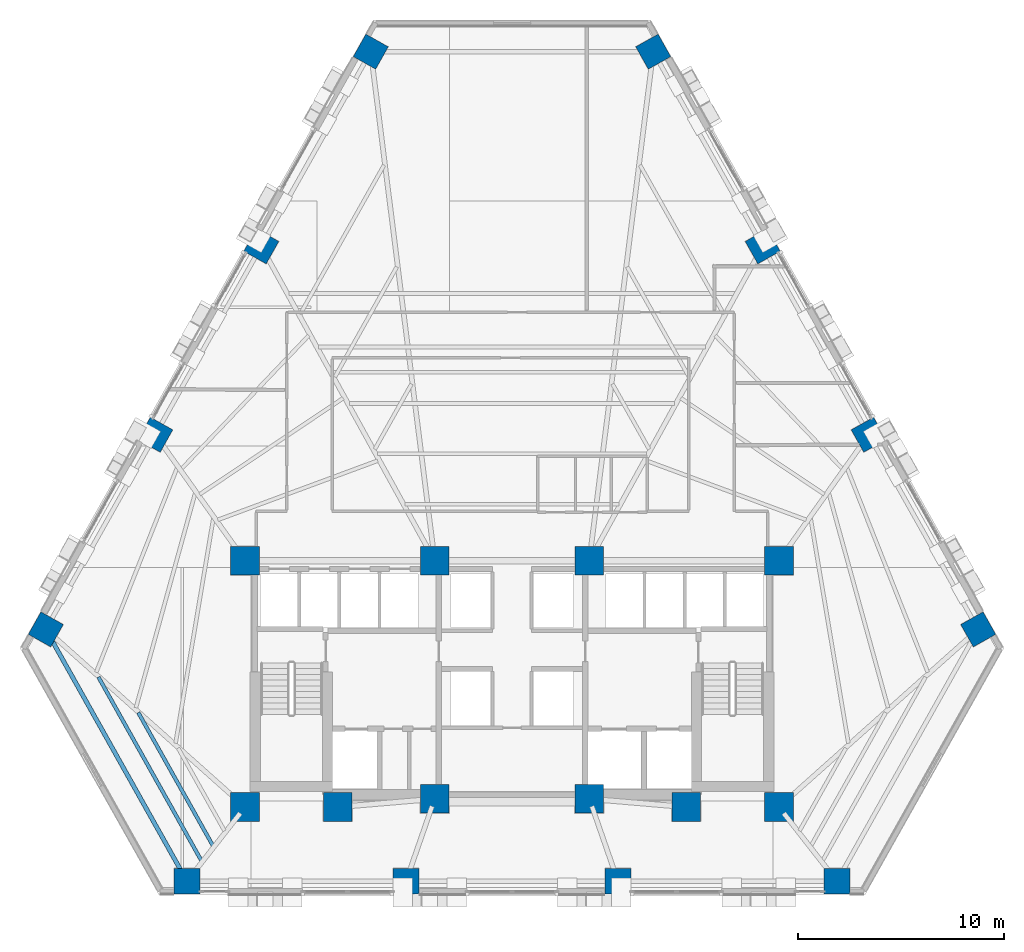
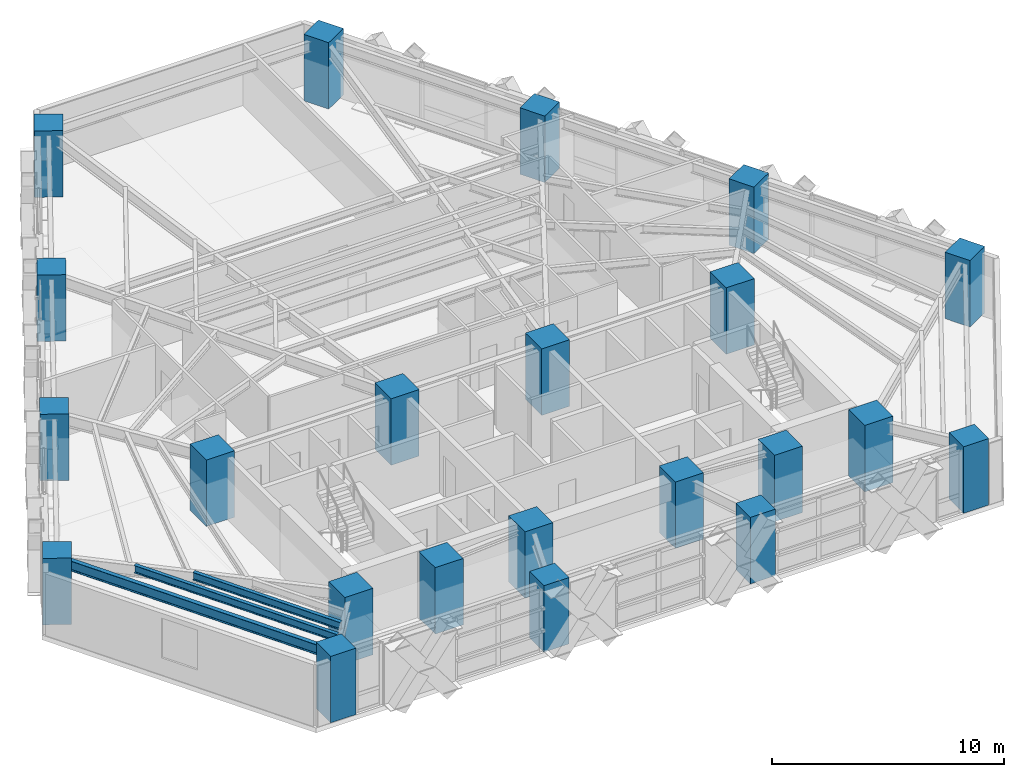
# One storey, part 1 of 13: 22 columns, 3 beams.
"""IFC4 building model written with IfcOpenShell, lengths in metres."""

from ifc_helpers import new_model, si_unit, direction, frame, origin, origin_2d, place, context, subcontext, project, spatial, rectangle, i_section, extrude, material, material_profile, profile_set, type_object, element, save


model = new_model("IFC4")

# Units and contexts
model_context = context("Model", 3, precision=1e-05, world=origin(), true_north=direction((0.0, 1.0)))
body_context = subcontext(model_context, "Body", "Model", "MODEL_VIEW")
ifc_project = project(units=[si_unit("LENGTHUNIT", "METRE"), si_unit("AREAUNIT", "SQUARE_METRE"), si_unit("VOLUMEUNIT", "CUBIC_METRE"), si_unit("PLANEANGLEUNIT", "RADIAN"), si_unit("MASSUNIT", "GRAM", prefix="KILO")], contexts=[model_context])

# Site, building, storey
site_placement = place(None, origin())
site = spatial("IfcSite", under=ifc_project, at=site_placement, CompositionType="ELEMENT")
building_placement = place(site_placement, origin())
building = spatial("IfcBuilding", under=site, at=building_placement, Name="Quenlor Broadcast Tower", CompositionType="ELEMENT")
storey_placement = place(building_placement, frame((0.0, 0.0, 41.60009765625)))
storey = spatial("IfcBuildingStorey", under=building, at=storey_placement, Name="L10", CompositionType="ELEMENT", Elevation=41.60009765625)

# Columns
ifc_material_1 = material(Name="Concrete C65/80", Category="concrete")
ifc_material_profile_1 = material_profile(ifc_material_1, rectangle(XDim=1.39990234375, YDim=1.39990234375, at=origin_2d()))
ifc_profile_set_1 = profile_set([ifc_material_profile_1], Name="Concrete C65/80 RC1400x1400")
column_type_1 = type_object("IfcColumnType", Name="Core Corner Column Lower Concrete C65/80 1400", PredefinedType="COLUMN", material=ifc_profile_set_1)
for number, where, z_axis, x_axis, name in (
    (1, (-12.949951171875, -16.75, 0.0), (0.0, 0.0, 1.0), (1.0, 0.0, 0.0), "L10 Core Column CC1"),
    (2, (-8.449951171875, -16.75, 0.0), (0.0, 0.0, 1.0), (1.0, 0.0, 0.0), "L10 Core Column CC2"),
    (3, (-3.75, -16.35009765625, 0.0), (0.0, 0.0, 1.0), (1.0, 0.0, 0.0), "L10 Core Column CC3"),
    (4, (3.75, -16.35009765625, 0.0), (0.0, 0.0, 1.0), (1.0, 0.0, 0.0), "L10 Core Column CC4"),
    (5, (8.449951171875, -16.75, 0.0), (0.0, 0.0, 1.0), (1.0, 0.0, 0.0), "L10 Core Column CC5"),
    (6, (12.949951171875, -16.75, 0.0), (0.0, 0.0, 1.0), (1.0, 0.0, 0.0), "L10 Core Column CC6"),
    (7, (-12.949951171875, -4.800048828125, 0.0), (0.0, 0.0, 1.0), (1.0, 0.0, 0.0), "L10 Core Column CC7"),
    (8, (-3.75, -4.800048828125, 0.0), (0.0, 0.0, 1.0), (1.0, 0.0, 0.0), "L10 Core Column CC8"),
    (9, (3.75, -4.800048828125, 0.0), (0.0, 0.0, 1.0), (1.0, 0.0, 0.0), "L10 Core Column CC9"),
    (10, (12.949951171875, -4.800048828125, 0.0), (0.0, 0.0, 1.0), (1.0, 0.0, 0.0), "L10 Core Column CC10"),
):
    element("IfcColumn", number, at=place(storey_placement, frame(where, z_axis=z_axis, x_axis=x_axis)), inside=storey, type_object=column_type_1, Name=name, PredefinedType="COLUMN", context=body_context, shape_type="SweptSolid", body=[
        extrude(rectangle(XDim=1.39990234375, YDim=1.39990234375, at=origin_2d()), origin(), (0.0, 0.0, 1.0), 3.5),
    ])
ifc_material_2 = material(Name="Concrete C65/80", Category="concrete")
ifc_material_profile_2 = material_profile(ifc_material_2, rectangle(XDim=1.25, YDim=1.25, at=origin_2d()))
ifc_profile_set_2 = profile_set([ifc_material_profile_2], Name="Concrete C65/80 RC1250x1250")
column_type_2 = type_object("IfcColumnType", Name="Tower Perimeter Column Z1 Concrete C65/80 1250", PredefinedType="COLUMN", material=ifc_profile_set_2)
for number, where, z_axis, x_axis, name in (
    (11, (-15.76513671875, -20.35009765625, 0.0), (0.0, 0.0, 1.0), (0.0, 1.0, 0.0), "L10 Perimeter Column S1"),
    (12, (-5.140869140625, -20.35009765625, 0.0), (0.0, 0.0, 1.0), (0.0, 1.0, 0.0), "L10 Perimeter Column S2"),
    (13, (5.140869140625, -20.35009765625, 0.0), (0.0, 0.0, 1.0), (0.0, 1.0, 0.0), "L10 Perimeter Column S3"),
    (14, (15.76513671875, -20.35009765625, 0.0), (0.0, 0.0, 1.0), (0.0, 1.0, 0.0), "L10 Perimeter Column S4"),
    (15, (22.6162109375, -8.132080078125, 0.0), (0.0, 0.0, 1.0), (0.871575139605, 0.490261946333, 0.0), "L10 Perimeter Column NE1"),
    (16, (17.303955078125, 1.311767578125, 0.0), (0.0, 0.0, 1.0), (0.871575139605, 0.490261946333, 0.0), "L10 Perimeter Column NE2"),
    (17, (12.1630859375, 10.450927734375, 0.0), (0.0, 0.0, 1.0), (0.871575139605, 0.490261946333, 0.0), "L10 Perimeter Column NE3"),
    (18, (6.850830078125, 19.894775390625, 0.0), (0.0, 0.0, 1.0), (0.871575139605, 0.490261946333, 0.0), "L10 Perimeter Column NE4"),
    (19, (-6.850830078125, 19.894775390625, 0.0), (0.0, 0.0, 1.0), (-0.871575139605, 0.490261946333, 0.0), "L10 Perimeter Column NW1"),
    (20, (-12.1630859375, 10.450927734375, 0.0), (0.0, 0.0, 1.0), (-0.871575139605, 0.490261946333, 0.0), "L10 Perimeter Column NW2"),
    (21, (-17.303955078125, 1.311767578125, 0.0), (0.0, 0.0, 1.0), (-0.871575139605, 0.490261946333, 0.0), "L10 Perimeter Column NW3"),
    (22, (-22.6162109375, -8.132080078125, 0.0), (0.0, 0.0, 1.0), (-0.871575139605, 0.490261946333, 0.0), "L10 Perimeter Column NW4"),
):
    element("IfcColumn", number, at=place(storey_placement, frame(where, z_axis=z_axis, x_axis=x_axis)), inside=storey, type_object=column_type_2, Name=name, PredefinedType="COLUMN", context=body_context, shape_type="SweptSolid", body=[
        extrude(rectangle(XDim=1.25, YDim=1.25, at=origin_2d()), origin(), (0.0, 0.0, 1.0), 3.5),
    ])

# Beams
ifc_material_3 = material(Name="Steel S355", Category="steel")
ifc_material_profile_3 = material_profile(ifc_material_3, i_section(OverallWidth=0.208984375, OverallDepth=0.532958984375, WebThickness=0.01025390625, FlangeThickness=0.015625, FilletRadius=0.013916015625, at=origin_2d()))
ifc_profile_set_3 = profile_set([ifc_material_profile_3], Name="Steel S355 530UB92.4")
beam_type_1 = type_object("IfcBeamType", Name="Perimeter Spandrel Beam Z1 Steel S355 530UB92.4", PredefinedType="SPANDREL", material=ifc_profile_set_3)
beam_1_placement = place(storey_placement, frame((-22.41552734375, -8.48974609375, 2.9833984375), z_axis=(0.489090917871, -0.87223280955, 0.0), x_axis=(0.87223280955, 0.489090917871, 0.0)))
element("IfcBeam", 23, at=beam_1_placement, inside=storey, type_object=beam_type_1, Name="L10 Spandrel Beam NW4-S1", PredefinedType="SPANDREL", context=body_context, shape_type="SweptSolid", body=[
    extrude(i_section(OverallWidth=0.208984375, OverallDepth=0.532958984375, WebThickness=0.01025390625, FlangeThickness=0.015625, FilletRadius=0.013916015625, at=origin_2d()), origin(), (0.0, 0.0, 1.0), 13.187744140625),
])
ifc_material_4 = material(Name="Steel S355", Category="steel")
ifc_material_profile_4 = material_profile(ifc_material_4, i_section(OverallWidth=0.177978515625, OverallDepth=0.406494140625, WebThickness=0.0078125, FlangeThickness=0.0126953125, FilletRadius=0.011474609375, at=origin_2d()))
ifc_profile_set_4 = profile_set([ifc_material_profile_4], Name="Steel S355 410UB59.7")
beam_type_2 = type_object("IfcBeamType", Name="Tower Composite Joist Z1 Steel S355 410UB59.7", PredefinedType="JOIST", material=ifc_profile_set_4)
beam_2_placement = place(storey_placement, frame((-14.50927734375, -18.624267578125, 3.046630859375), z_axis=(-0.489088249322, 0.872234305892, 0.0), x_axis=(-0.872234305892, -0.489088249322, 0.0)))
element("IfcBeam", 24, at=beam_2_placement, inside=storey, type_object=beam_type_2, Name="L10 Secondary Composite Joist 20", PredefinedType="JOIST", context=body_context, shape_type="SweptSolid", body=[
    extrude(i_section(OverallWidth=0.177978515625, OverallDepth=0.406494140625, WebThickness=0.0078125, FlangeThickness=0.0126953125, FilletRadius=0.011474609375, at=origin_2d()), origin(), (0.0, 0.0, 1.0), 7.404296875),
])
beam_3_placement = place(storey_placement, frame((-15.072265625, -19.34423828125, 3.046630859375), z_axis=(-0.489081877778, 0.872237878579, 0.0), x_axis=(-0.872237878579, -0.489081877778, 0.0)))
element("IfcBeam", 25, at=beam_3_placement, inside=storey, type_object=beam_type_2, Name="L10 Secondary Composite Joist 21", PredefinedType="JOIST", context=body_context, shape_type="SweptSolid", body=[
    extrude(i_section(OverallWidth=0.177978515625, OverallDepth=0.406494140625, WebThickness=0.0078125, FlangeThickness=0.0126953125, FilletRadius=0.011474609375, at=origin_2d()), origin(), (0.0, 0.0, 1.0), 10.205810546875),
])

save(model, "model.ifc")
